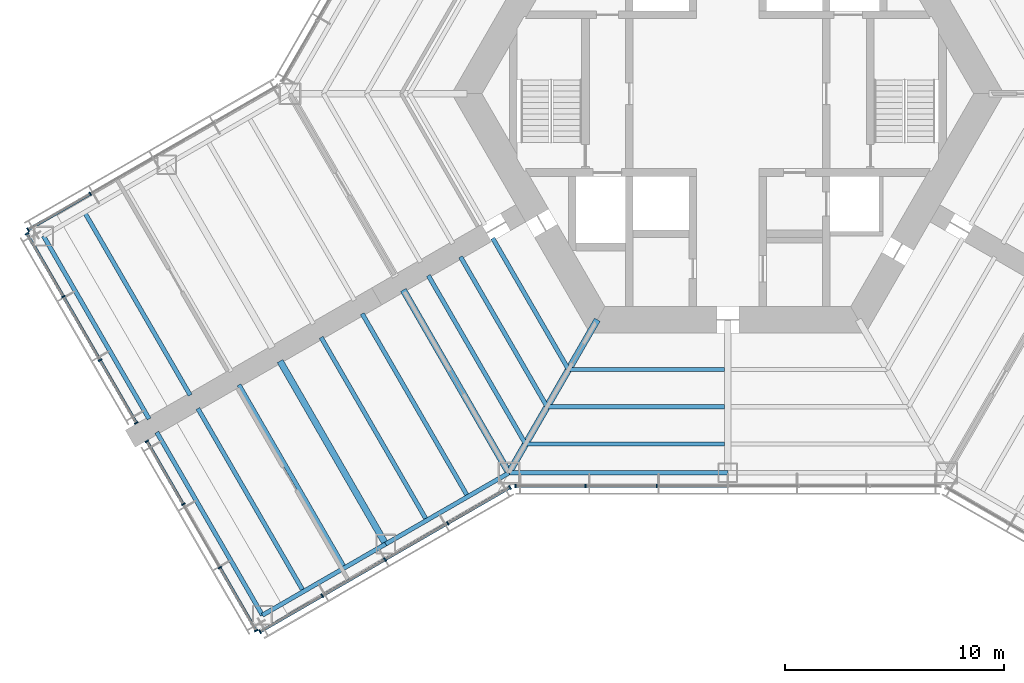
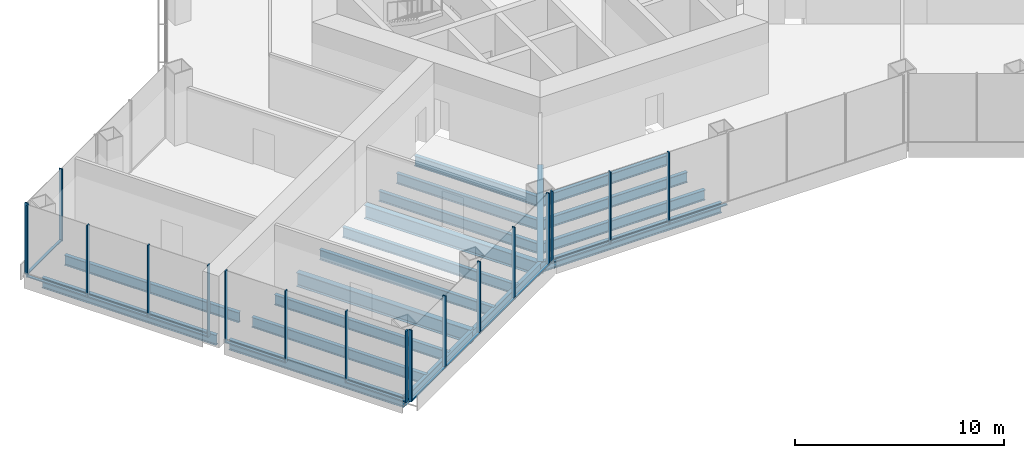
# One storey, part 2 of 16: 31 members, 19 beams, 5 elements without a shape of their own.
"""IFC4 building model written with IfcOpenShell, lengths in metres."""

from ifc_helpers import new_model, si_unit, direction, frame, origin, origin_2d, place, context, subcontext, project, spatial, rectangle, i_section, extrude, material, material_profile, profile_set, type_object, element, aggregate, save


model = new_model("IFC4")

# Units and contexts
model_context = context("Model", 3, precision=1e-05, world=origin(), true_north=direction((0.0, 1.0)))
body_context = subcontext(model_context, "Body", "Model", "MODEL_VIEW")
ifc_project = project(units=[si_unit("LENGTHUNIT", "METRE"), si_unit("AREAUNIT", "SQUARE_METRE"), si_unit("VOLUMEUNIT", "CUBIC_METRE"), si_unit("PLANEANGLEUNIT", "RADIAN"), si_unit("MASSUNIT", "GRAM", prefix="KILO")], contexts=[model_context])

# Site, building, storey
site_placement = place(None, origin())
site = spatial("IfcSite", under=ifc_project, at=site_placement, CompositionType="ELEMENT")
building_placement = place(site_placement, origin())
building = spatial("IfcBuilding", under=site, at=building_placement, Name="Kasaneha Research Tower", CompositionType="ELEMENT")
storey_placement = place(building_placement, frame((0.0, 0.0, 18.39990234375)))
storey = spatial("IfcBuildingStorey", under=building, at=storey_placement, Name="L05", CompositionType="ELEMENT", Elevation=18.39990234375)

# Beams
ifc_material_1 = material(Name="Steel SN490B", Category="steel")
ifc_material_profile_1 = material_profile(ifc_material_1, i_section(OverallWidth=0.199951171875, OverallDepth=0.60009765625, WebThickness=0.010986328125, FlangeThickness=0.01708984375, FilletRadius=0.012939453125, at=origin_2d()), Name="H-600x200x11x17")
ifc_profile_set_1 = profile_set([ifc_material_profile_1], Name="Steel SN490B")
beam_type_1 = type_object("IfcBeamType", Name="B1-1 secondary beam H-600x200x11x17", PredefinedType="JOIST", material=ifc_profile_set_1)
beam_1_placement = place(storey_placement, frame((-7.274658203125, -12.60009765625, -0.5), z_axis=(-0.499972710878, 0.866041158593, 0.0), x_axis=(-0.866041158593, -0.499972710878, 0.0)))
element("IfcBeam", 1, at=beam_1_placement, inside=storey, type_object=beam_type_1, Name="Secondary beam RS210R1 L05", PredefinedType="JOIST", context=body_context, shape_type="SweptSolid", body=[
    extrude(i_section(OverallWidth=0.199951171875, OverallDepth=0.60009765625, WebThickness=0.010986328125, FlangeThickness=0.01708984375, FilletRadius=0.012939453125, at=origin_2d()), origin(), (0.0, 0.0, 1.0), 6.9248046875),
])
beam_2_placement = place(storey_placement, frame((-8.256103515625, -14.300048828125, -0.5), z_axis=(-0.500004902938, 0.866022573054, 0.0), x_axis=(-0.866022573054, -0.500004902938, 0.0)))
element("IfcBeam", 2, at=beam_2_placement, inside=storey, type_object=beam_type_1, Name="Secondary beam RS210R2 L05", PredefinedType="JOIST", context=body_context, shape_type="SweptSolid", body=[
    extrude(i_section(OverallWidth=0.199951171875, OverallDepth=0.60009765625, WebThickness=0.010986328125, FlangeThickness=0.01708984375, FilletRadius=0.012939453125, at=origin_2d()), origin(), (0.0, 0.0, 1.0), 7.90625),
])
beam_3_placement = place(storey_placement, frame((-9.237548828125, -16.0, -0.5), z_axis=(-0.500009382636, 0.866019986649, 0.0), x_axis=(-0.866019986649, -0.500009382636, 0.0)))
element("IfcBeam", 3, at=beam_3_placement, inside=storey, type_object=beam_type_1, Name="Secondary beam RS210R3 L05", PredefinedType="JOIST", context=body_context, shape_type="SweptSolid", body=[
    extrude(i_section(OverallWidth=0.199951171875, OverallDepth=0.60009765625, WebThickness=0.010986328125, FlangeThickness=0.01708984375, FilletRadius=0.012939453125, at=origin_2d()), origin(), (0.0, 0.0, 1.0), 8.887451171875),
])
beam_4_placement = place(storey_placement, frame((-7.274658203125, -12.60009765625, -0.5), z_axis=(1.0, 0.0, 0.0), x_axis=(0.0, 1.0, 0.0)))
element("IfcBeam", 4, at=beam_4_placement, inside=storey, type_object=beam_type_1, Name="Secondary beam RS270L1 L05", PredefinedType="JOIST", context=body_context, shape_type="SweptSolid", body=[
    extrude(i_section(OverallWidth=0.199951171875, OverallDepth=0.60009765625, WebThickness=0.010986328125, FlangeThickness=0.01708984375, FilletRadius=0.012939453125, at=origin_2d()), origin(), (0.0, 0.0, 1.0), 7.124755859375),
])
beam_5_placement = place(storey_placement, frame((-8.256103515625, -14.300048828125, -0.5), z_axis=(1.0, 0.0, 0.0), x_axis=(0.0, 1.0, 0.0)))
element("IfcBeam", 5, at=beam_5_placement, inside=storey, type_object=beam_type_1, Name="Secondary beam RS270L2 L05", PredefinedType="JOIST", context=body_context, shape_type="SweptSolid", body=[
    extrude(i_section(OverallWidth=0.199951171875, OverallDepth=0.60009765625, WebThickness=0.010986328125, FlangeThickness=0.01708984375, FilletRadius=0.012939453125, at=origin_2d()), origin(), (0.0, 0.0, 1.0), 8.106201171875),
])
beam_6_placement = place(storey_placement, frame((-9.237548828125, -16.0, -0.5), z_axis=(1.0, 0.0, 0.0), x_axis=(0.0, 1.0, 0.0)))
element("IfcBeam", 6, at=beam_6_placement, inside=storey, type_object=beam_type_1, Name="Secondary beam RS270L3 L05", PredefinedType="JOIST", context=body_context, shape_type="SweptSolid", body=[
    extrude(i_section(OverallWidth=0.199951171875, OverallDepth=0.60009765625, WebThickness=0.010986328125, FlangeThickness=0.01708984375, FilletRadius=0.012939453125, at=origin_2d()), origin(), (0.0, 0.0, 1.0), 9.087646484375),
])
ifc_material_2 = material(Name="Steel SN490B", Category="steel")
ifc_material_profile_2 = material_profile(ifc_material_2, i_section(OverallWidth=0.198974609375, OverallDepth=0.595947265625, WebThickness=0.010009765625, FlangeThickness=0.014892578125, FilletRadius=0.012939453125, at=origin_2d()), Name="H-596x199x10x15")
ifc_profile_set_2 = profile_set([ifc_material_profile_2], Name="Steel SN490B")
beam_type_2 = type_object("IfcBeamType", Name="B2-1 secondary beam H-596x199x10x15", PredefinedType="JOIST", material=ifc_profile_set_2)
for number, where, z_axis, x_axis, name in (
    (7, (-29.3818359375, -5.416748046875, -0.497802734375), (0.499994742786, -0.866028439017, 0.0), (0.866028439017, 0.499994742786, 0.0), "Secondary beam WBBP4 L05"),
    (8, (-11.87646484375, -18.40380859375, -0.497802734375), (-0.499994742786, 0.866028439017, 0.0), (-0.866028439017, -0.499994742786, 0.0), "Secondary beam WBBN1 L05"),
    (9, (-13.752685546875, -19.487060546875, -0.497802734375), (-0.500024672494, 0.866011158645, 0.0), (-0.866011158645, -0.500024672494, 0.0), "Secondary beam WBBN2 L05"),
    (10, (-17.505615234375, -21.65380859375, -0.497802734375), (-0.499994742786, 0.866028439017, 0.0), (-0.866028439017, -0.499994742786, 0.0), "Secondary beam WBBN3 L05"),
    (11, (-19.3818359375, -22.737060546875, -0.497802734375), (-0.500024672494, 0.866011158645, 0.0), (-0.866011158645, -0.500024672494, 0.0), "Secondary beam WBBN4 L05"),
):
    element("IfcBeam", number, at=place(storey_placement, frame(where, z_axis=z_axis, x_axis=x_axis)), inside=storey, type_object=beam_type_2, Name=name, PredefinedType="JOIST", context=body_context, shape_type="SweptSolid", body=[
        extrude(i_section(OverallWidth=0.198974609375, OverallDepth=0.595947265625, WebThickness=0.010009765625, FlangeThickness=0.014892578125, FilletRadius=0.012939453125, at=origin_2d()), origin(), (0.0, 0.0, 1.0), 9.64990234375),
    ])

# Curtain wall, members
ifc_material_3 = material(Name="Glass and aluminium", Category="aluminium")
curtain_wall_type = type_object("IfcCurtainWallType", Name="Wet laboratory curtain wall", PredefinedType="USERDEFINED", material=ifc_material_3)
curtain_wall_1_placement = place(storey_placement, origin())
curtain_wall_1 = element("IfcCurtainWall", 12, at=curtain_wall_1_placement, inside=storey, type_object=curtain_wall_type, Name="CW-L1 L05 run 01a", ObjectType="UNITISED CURTAIN WALL", PredefinedType="USERDEFINED")
ifc_material_4 = material(Name="Aluminium 6063-T6", Category="aluminium")
ifc_material_profile_3 = material_profile(ifc_material_4, rectangle(XDim=0.06494140625, YDim=0.179931640625, at=origin_2d()), Name="CW-L1 mullion 65x180")
ifc_profile_set_3 = profile_set([ifc_material_profile_3], Name="Aluminium 6063-T6")
member_type_1 = type_object("IfcMemberType", Name="CW-L1 mullion", PredefinedType="MULLION", material=ifc_profile_set_3)
member_1_placement = place(storey_placement, frame((-21.36328125, -24.573974609375, 0.0), z_axis=(0.0, 0.0, 1.0), x_axis=(0.866025411464, 0.499999986699, 0.0)))
member_1 = element("IfcMember", 13, at=member_1_placement, type_object=member_type_1, Name="CW-L1 mullion 1", PredefinedType="MULLION", context=body_context, shape_type="SweptSolid", body=[
    extrude(rectangle(XDim=0.06494140625, YDim=0.179931640625, at=origin_2d()), origin(), (0.0, 0.0, 1.0), 4.2001953125),
])
member_2_placement = place(storey_placement, frame((-18.52490234375, -22.935302734375, 0.0), z_axis=(0.0, 0.0, 1.0), x_axis=(0.866025411464, 0.499999986699, 0.0)))
member_2 = element("IfcMember", 14, at=member_2_placement, type_object=member_type_1, Name="CW-L1 mullion 2", PredefinedType="MULLION", context=body_context, shape_type="SweptSolid", body=[
    extrude(rectangle(XDim=0.06494140625, YDim=0.179931640625, at=origin_2d()), origin(), (0.0, 0.0, 1.0), 4.2001953125),
])
member_3_placement = place(storey_placement, frame((-15.65869140625, -21.2802734375, 0.0), z_axis=(0.0, 0.0, 1.0), x_axis=(0.866025411464, 0.499999986699, 0.0)))
member_3 = element("IfcMember", 15, at=member_3_placement, type_object=member_type_1, Name="CW-L1 mullion 3", PredefinedType="MULLION", context=body_context, shape_type="SweptSolid", body=[
    extrude(rectangle(XDim=0.06494140625, YDim=0.179931640625, at=origin_2d()), origin(), (0.0, 0.0, 1.0), 4.2001953125),
])
member_4_placement = place(storey_placement, frame((-12.792236328125, -19.62548828125, 0.0), z_axis=(0.0, 0.0, 1.0), x_axis=(0.866025411464, 0.499999986699, 0.0)))
member_4 = element("IfcMember", 16, at=member_4_placement, type_object=member_type_1, Name="CW-L1 mullion 4", PredefinedType="MULLION", context=body_context, shape_type="SweptSolid", body=[
    extrude(rectangle(XDim=0.06494140625, YDim=0.179931640625, at=origin_2d()), origin(), (0.0, 0.0, 1.0), 4.2001953125),
])
member_5_placement = place(storey_placement, frame((-9.953857421875, -17.98681640625, 0.0), z_axis=(0.0, 0.0, 1.0), x_axis=(0.866025411464, 0.499999986699, 0.0)))
member_5 = element("IfcMember", 17, at=member_5_placement, type_object=member_type_1, Name="CW-L1 mullion 5", PredefinedType="MULLION", context=body_context, shape_type="SweptSolid", body=[
    extrude(rectangle(XDim=0.06494140625, YDim=0.179931640625, at=origin_2d()), origin(), (0.0, 0.0, 1.0), 4.2001953125),
])

curtain_wall_2_placement = place(storey_placement, origin())
curtain_wall_2 = element("IfcCurtainWall", 18, at=curtain_wall_2_placement, inside=storey, type_object=curtain_wall_type, Name="CW-L1 L05 run 02a", ObjectType="UNITISED CURTAIN WALL", PredefinedType="USERDEFINED")
member_6_placement = place(storey_placement, frame((-9.706787109375, -17.92041015625, 0.0), z_axis=(0.0, 0.0, 1.0), x_axis=(1.0, 0.0, 0.0)))
member_6 = element("IfcMember", 19, at=member_6_placement, type_object=member_type_1, Name="CW-L1 mullion 1", PredefinedType="MULLION", context=body_context, shape_type="SweptSolid", body=[
    extrude(rectangle(XDim=0.06494140625, YDim=0.179931640625, at=origin_2d()), origin(), (0.0, 0.0, 1.0), 4.2001953125),
])
member_7_placement = place(storey_placement, frame((-6.492919921875, -17.92041015625, 0.0), z_axis=(0.0, 0.0, 1.0), x_axis=(1.0, 0.0, 0.0)))
member_7 = element("IfcMember", 20, at=member_7_placement, type_object=member_type_1, Name="CW-L1 mullion 2", PredefinedType="MULLION", context=body_context, shape_type="SweptSolid", body=[
    extrude(rectangle(XDim=0.06494140625, YDim=0.179931640625, at=origin_2d()), origin(), (0.0, 0.0, 1.0), 4.2001953125),
])
member_8_placement = place(storey_placement, frame((-3.246337890625, -17.92041015625, 0.0), z_axis=(0.0, 0.0, 1.0), x_axis=(1.0, 0.0, 0.0)))
member_8 = element("IfcMember", 21, at=member_8_placement, type_object=member_type_1, Name="CW-L1 mullion 3", PredefinedType="MULLION", context=body_context, shape_type="SweptSolid", body=[
    extrude(rectangle(XDim=0.06494140625, YDim=0.179931640625, at=origin_2d()), origin(), (0.0, 0.0, 1.0), 4.2001953125),
])

curtain_wall_3_placement = place(storey_placement, origin())
curtain_wall_3 = element("IfcCurtainWall", 22, at=curtain_wall_3_placement, inside=storey, type_object=curtain_wall_type, Name="CW-L1 L05 run 13a", ObjectType="UNITISED CURTAIN WALL", PredefinedType="USERDEFINED")
member_9_placement = place(storey_placement, frame((-29.125, -4.575439453125, 0.0), z_axis=(0.0, 0.0, 1.0), x_axis=(-0.866025411464, -0.499999986699, 0.0)))
member_9 = element("IfcMember", 23, at=member_9_placement, type_object=member_type_1, Name="CW-L1 mullion 4", PredefinedType="MULLION", context=body_context, shape_type="SweptSolid", body=[
    extrude(rectangle(XDim=0.06494140625, YDim=0.179931640625, at=origin_2d()), origin(), (0.0, 0.0, 1.0), 4.2001953125),
])
member_10_placement = place(storey_placement, frame((-31.963134765625, -6.214111328125, 0.0), z_axis=(0.0, 0.0, 1.0), x_axis=(-0.866025411464, -0.499999986699, 0.0)))
member_10 = element("IfcMember", 24, at=member_10_placement, type_object=member_type_1, Name="CW-L1 mullion 5", PredefinedType="MULLION", context=body_context, shape_type="SweptSolid", body=[
    extrude(rectangle(XDim=0.06494140625, YDim=0.179931640625, at=origin_2d()), origin(), (0.0, 0.0, 1.0), 4.2001953125),
])

curtain_wall_4_placement = place(storey_placement, origin())
curtain_wall_4 = element("IfcCurtainWall", 25, at=curtain_wall_4_placement, inside=storey, type_object=curtain_wall_type, Name="CW-L1 L05 run 14a", ObjectType="UNITISED CURTAIN WALL", PredefinedType="USERDEFINED")
member_11_placement = place(storey_placement, frame((-32.01171875, -6.39501953125, 0.0), z_axis=(0.0, 0.0, 1.0), x_axis=(0.500000011442, -0.866025397178, 0.0)))
member_11 = element("IfcMember", 26, at=member_11_placement, type_object=member_type_1, Name="CW-L1 mullion 1", PredefinedType="MULLION", context=body_context, shape_type="SweptSolid", body=[
    extrude(rectangle(XDim=0.06494140625, YDim=0.179931640625, at=origin_2d()), origin(), (0.0, 0.0, 1.0), 4.2001953125),
])
member_12_placement = place(storey_placement, frame((-30.35302734375, -9.26806640625, 0.0), z_axis=(0.0, 0.0, 1.0), x_axis=(0.500000011442, -0.866025397178, 0.0)))
member_12 = element("IfcMember", 27, at=member_12_placement, type_object=member_type_1, Name="CW-L1 mullion 2", PredefinedType="MULLION", context=body_context, shape_type="SweptSolid", body=[
    extrude(rectangle(XDim=0.06494140625, YDim=0.179931640625, at=origin_2d()), origin(), (0.0, 0.0, 1.0), 4.2001953125),
])
member_13_placement = place(storey_placement, frame((-28.677978515625, -12.16943359375, 0.0), z_axis=(0.0, 0.0, 1.0), x_axis=(0.500000011442, -0.866025397178, 0.0)))
member_13 = element("IfcMember", 28, at=member_13_placement, type_object=member_type_1, Name="CW-L1 mullion 3", PredefinedType="MULLION", context=body_context, shape_type="SweptSolid", body=[
    extrude(rectangle(XDim=0.06494140625, YDim=0.179931640625, at=origin_2d()), origin(), (0.0, 0.0, 1.0), 4.2001953125),
])
member_14_placement = place(storey_placement, frame((-27.019287109375, -15.04248046875, 0.0), z_axis=(0.0, 0.0, 1.0), x_axis=(0.500000011442, -0.866025397178, 0.0)))
member_14 = element("IfcMember", 29, at=member_14_placement, type_object=member_type_1, Name="CW-L1 mullion 4", PredefinedType="MULLION", context=body_context, shape_type="SweptSolid", body=[
    extrude(rectangle(XDim=0.06494140625, YDim=0.179931640625, at=origin_2d()), origin(), (0.0, 0.0, 1.0), 4.2001953125),
])

curtain_wall_5_placement = place(storey_placement, origin())
curtain_wall_5 = element("IfcCurtainWall", 30, at=curtain_wall_5_placement, inside=storey, type_object=curtain_wall_type, Name="CW-L1 L05 run 15a", ObjectType="UNITISED CURTAIN WALL", PredefinedType="USERDEFINED")
member_15_placement = place(storey_placement, frame((-26.53662109375, -15.878173828125, 0.0), z_axis=(0.0, 0.0, 1.0), x_axis=(0.500000011442, -0.866025397178, 0.0)))
member_15 = element("IfcMember", 31, at=member_15_placement, type_object=member_type_1, Name="CW-L1 mullion 1", PredefinedType="MULLION", context=body_context, shape_type="SweptSolid", body=[
    extrude(rectangle(XDim=0.06494140625, YDim=0.179931640625, at=origin_2d()), origin(), (0.0, 0.0, 1.0), 4.2001953125),
])
member_16_placement = place(storey_placement, frame((-24.8779296875, -18.751220703125, 0.0), z_axis=(0.0, 0.0, 1.0), x_axis=(0.500000011442, -0.866025397178, 0.0)))
member_16 = element("IfcMember", 32, at=member_16_placement, type_object=member_type_1, Name="CW-L1 mullion 2", PredefinedType="MULLION", context=body_context, shape_type="SweptSolid", body=[
    extrude(rectangle(XDim=0.06494140625, YDim=0.179931640625, at=origin_2d()), origin(), (0.0, 0.0, 1.0), 4.2001953125),
])
member_17_placement = place(storey_placement, frame((-23.202880859375, -21.65234375, 0.0), z_axis=(0.0, 0.0, 1.0), x_axis=(0.500000011442, -0.866025397178, 0.0)))
member_17 = element("IfcMember", 33, at=member_17_placement, type_object=member_type_1, Name="CW-L1 mullion 3", PredefinedType="MULLION", context=body_context, shape_type="SweptSolid", body=[
    extrude(rectangle(XDim=0.06494140625, YDim=0.179931640625, at=origin_2d()), origin(), (0.0, 0.0, 1.0), 4.2001953125),
])
member_18_placement = place(storey_placement, frame((-21.544189453125, -24.525390625, 0.0), z_axis=(0.0, 0.0, 1.0), x_axis=(0.500000011442, -0.866025397178, 0.0)))
member_18 = element("IfcMember", 34, at=member_18_placement, type_object=member_type_1, Name="CW-L1 mullion 4", PredefinedType="MULLION", context=body_context, shape_type="SweptSolid", body=[
    extrude(rectangle(XDim=0.06494140625, YDim=0.179931640625, at=origin_2d()), origin(), (0.0, 0.0, 1.0), 4.2001953125),
])

# Member
ifc_material_5 = material(Name="Aluminium 6063-T6", Category="aluminium")
ifc_material_profile_4 = material_profile(ifc_material_5, rectangle(XDim=0.139892578125, YDim=0.06494140625, at=origin_2d()), Name="CW-L1 transom 140x65")
ifc_profile_set_4 = profile_set([ifc_material_profile_4], Name="Aluminium 6063-T6")
member_type_2 = type_object("IfcMemberType", Name="CW-L1 transom", PredefinedType="USERDEFINED", material=ifc_profile_set_4)
member_19_placement = place(storey_placement, frame((-21.3349609375, -24.5576171875, 0.03271484375), z_axis=(0.86600331843, 0.500038251005, 0.0), x_axis=(-0.500038251005, 0.86600331843, 0.0)))
member_19 = element("IfcMember", 35, at=member_19_placement, type_object=member_type_2, Name="CW-L1 transom 1", ObjectType="TRANSOM", PredefinedType="USERDEFINED", context=body_context, shape_type="SweptSolid", body=[
    extrude(rectangle(XDim=0.139892578125, YDim=0.06494140625, at=origin_2d()), origin(), (0.0, 0.0, 1.0), 3.212158203125),
])

member_20_placement = place(storey_placement, frame((-18.496826171875, -22.9189453125, 0.03271484375), z_axis=(0.866035229914, 0.499982980259, 0.0), x_axis=(-0.499982980259, 0.866035229914, 0.0)))
member_20 = element("IfcMember", 36, at=member_20_placement, type_object=member_type_2, Name="CW-L1 transom 2", ObjectType="TRANSOM", PredefinedType="USERDEFINED", context=body_context, shape_type="SweptSolid", body=[
    extrude(rectangle(XDim=0.139892578125, YDim=0.06494140625, at=origin_2d()), origin(), (0.0, 0.0, 1.0), 3.24462890625),
])

member_21_placement = place(storey_placement, frame((-15.63037109375, -21.26416015625, 0.03271484375), z_axis=(0.866002649306, 0.500039409842, 0.0), x_axis=(-0.500039409842, 0.866002649306, 0.0)))
member_21 = element("IfcMember", 37, at=member_21_placement, type_object=member_type_2, Name="CW-L1 transom 3", ObjectType="TRANSOM", PredefinedType="USERDEFINED", context=body_context, shape_type="SweptSolid", body=[
    extrude(rectangle(XDim=0.139892578125, YDim=0.06494140625, at=origin_2d()), origin(), (0.0, 0.0, 1.0), 3.244873046875),
])

member_22_placement = place(storey_placement, frame((-12.76416015625, -19.609130859375, 0.03271484375), z_axis=(0.866022320763, 0.500005339912, 0.0), x_axis=(-0.500005339912, 0.866022320763, 0.0)))
member_22 = element("IfcMember", 38, at=member_22_placement, type_object=member_type_2, Name="CW-L1 transom 4", ObjectType="TRANSOM", PredefinedType="USERDEFINED", context=body_context, shape_type="SweptSolid", body=[
    extrude(rectangle(XDim=0.139892578125, YDim=0.06494140625, at=origin_2d()), origin(), (0.0, 0.0, 1.0), 3.21240234375),
])

aggregate(curtain_wall_1, [member_1, member_2, member_3, member_4, member_5, member_19, member_20, member_21, member_22])

member_23_placement = place(storey_placement, frame((-9.67431640625, -17.92041015625, 0.03271484375), z_axis=(1.0, 0.0, 0.0), x_axis=(0.0, 1.0, 0.0)))
member_23 = element("IfcMember", 39, at=member_23_placement, type_object=member_type_2, Name="CW-L1 transom 1", ObjectType="TRANSOM", PredefinedType="USERDEFINED", context=body_context, shape_type="SweptSolid", body=[
    extrude(rectangle(XDim=0.139892578125, YDim=0.06494140625, at=origin_2d()), origin(), (0.0, 0.0, 1.0), 3.14892578125),
])

member_24_placement = place(storey_placement, frame((-6.460205078125, -17.92041015625, 0.03271484375), z_axis=(1.0, 0.0, 0.0), x_axis=(0.0, 1.0, 0.0)))
member_24 = element("IfcMember", 40, at=member_24_placement, type_object=member_type_2, Name="CW-L1 transom 2", ObjectType="TRANSOM", PredefinedType="USERDEFINED", context=body_context, shape_type="SweptSolid", body=[
    extrude(rectangle(XDim=0.139892578125, YDim=0.06494140625, at=origin_2d()), origin(), (0.0, 0.0, 1.0), 3.181396484375),
])

member_25_placement = place(storey_placement, frame((-3.2138671875, -17.92041015625, 0.03271484375), z_axis=(1.0, 0.0, 0.0), x_axis=(0.0, 1.0, 0.0)))
member_25 = element("IfcMember", 41, at=member_25_placement, type_object=member_type_2, Name="CW-L1 transom 3", ObjectType="TRANSOM", PredefinedType="USERDEFINED", context=body_context, shape_type="SweptSolid", body=[
    extrude(rectangle(XDim=0.139892578125, YDim=0.06494140625, at=origin_2d()), origin(), (0.0, 0.0, 1.0), 3.181396484375),
])

aggregate(curtain_wall_2, [member_6, member_7, member_8, member_23, member_24, member_25])

member_26_placement = place(storey_placement, frame((-29.153076171875, -4.591796875, 0.03271484375), z_axis=(-0.866022320763, -0.500005339912, 0.0), x_axis=(0.500005339912, -0.866022320763, 0.0)))
member_26 = element("IfcMember", 42, at=member_26_placement, type_object=member_type_2, Name="CW-L1 transom 4", ObjectType="TRANSOM", PredefinedType="USERDEFINED", context=body_context, shape_type="SweptSolid", body=[
    extrude(rectangle(XDim=0.139892578125, YDim=0.06494140625, at=origin_2d()), origin(), (0.0, 0.0, 1.0), 3.21240234375),
])

aggregate(curtain_wall_3, [member_9, member_10, member_26])

member_27_placement = place(storey_placement, frame((-31.995361328125, -6.42333984375, 0.03271484375), z_axis=(0.500006189695, -0.866021830133, 0.0), x_axis=(0.866021830133, 0.500006189695, 0.0)))
member_27 = element("IfcMember", 43, at=member_27_placement, type_object=member_type_2, Name="CW-L1 transom 1", ObjectType="TRANSOM", PredefinedType="USERDEFINED", context=body_context, shape_type="SweptSolid", body=[
    extrude(rectangle(XDim=0.139892578125, YDim=0.06494140625, at=origin_2d()), origin(), (0.0, 0.0, 1.0), 3.25244140625),
])

member_28_placement = place(storey_placement, frame((-30.336669921875, -9.29638671875, 0.03271484375), z_axis=(0.500039835994, -0.866002403241, 0.0), x_axis=(0.866002403241, 0.500039835994, 0.0)))
member_28 = element("IfcMember", 44, at=member_28_placement, type_object=member_type_2, Name="CW-L1 transom 2", ObjectType="TRANSOM", PredefinedType="USERDEFINED", context=body_context, shape_type="SweptSolid", body=[
    extrude(rectangle(XDim=0.139892578125, YDim=0.06494140625, at=origin_2d()), origin(), (0.0, 0.0, 1.0), 3.284912109375),
])

member_29_placement = place(storey_placement, frame((-28.66162109375, -12.197509765625, 0.03271484375), z_axis=(0.500006189695, -0.866021830133, 0.0), x_axis=(0.866021830133, 0.500006189695, 0.0)))
member_29 = element("IfcMember", 45, at=member_29_placement, type_object=member_type_2, Name="CW-L1 transom 3", ObjectType="TRANSOM", PredefinedType="USERDEFINED", context=body_context, shape_type="SweptSolid", body=[
    extrude(rectangle(XDim=0.139892578125, YDim=0.06494140625, at=origin_2d()), origin(), (0.0, 0.0, 1.0), 3.25244140625),
])

aggregate(curtain_wall_4, [member_11, member_12, member_13, member_14, member_27, member_28, member_29])

member_30_placement = place(storey_placement, frame((-26.5205078125, -15.90625, 0.03271484375), z_axis=(0.500006189695, -0.866021830133, 0.0), x_axis=(0.866021830133, 0.500006189695, 0.0)))
member_30 = element("IfcMember", 46, at=member_30_placement, type_object=member_type_2, Name="CW-L1 transom 1", ObjectType="TRANSOM", PredefinedType="USERDEFINED", context=body_context, shape_type="SweptSolid", body=[
    extrude(rectangle(XDim=0.139892578125, YDim=0.06494140625, at=origin_2d()), origin(), (0.0, 0.0, 1.0), 3.25244140625),
])

member_31_placement = place(storey_placement, frame((-23.186767578125, -21.680419921875, 0.03271484375), z_axis=(0.499973687205, -0.866040594951, 0.0), x_axis=(0.866040594951, 0.499973687205, 0.0)))
member_31 = element("IfcMember", 47, at=member_31_placement, type_object=member_type_2, Name="CW-L1 transom 3", ObjectType="TRANSOM", PredefinedType="USERDEFINED", context=body_context, shape_type="SweptSolid", body=[
    extrude(rectangle(XDim=0.139892578125, YDim=0.06494140625, at=origin_2d()), origin(), (0.0, 0.0, 1.0), 3.252685546875),
])

aggregate(curtain_wall_5, [member_15, member_16, member_17, member_18, member_30, member_31])

# Beams
ifc_material_6 = material(Name="Steel SN490B", Category="steel")
ifc_material_profile_5 = material_profile(ifc_material_6, i_section(OverallWidth=0.300048828125, OverallDepth=0.699951171875, WebThickness=0.012939453125, FlangeThickness=0.02392578125, FilletRadius=0.01806640625, at=origin_2d()), Name="H-700x300x13x24")
ifc_profile_set_5 = profile_set([ifc_material_profile_5], Name="Steel SN490B")
beam_type_3 = type_object("IfcBeamType", Name="G1-1 radial girder H-700x300x13x24", PredefinedType="BEAM", material=ifc_profile_set_5)
beam_7_placement = place(storey_placement, frame((-5.961181640625, -10.324951171875, -0.5498046875), z_axis=(-0.49999105496, -0.866030568144, 0.0), x_axis=(0.866030568144, -0.49999105496, 0.0)))
element("IfcBeam", 48, at=beam_7_placement, inside=storey, type_object=beam_type_3, Name="Radial girder RV240 L05", PredefinedType="BEAM", context=body_context, shape_type="SweptSolid", body=[
    extrude(i_section(OverallWidth=0.300048828125, OverallDepth=0.699951171875, WebThickness=0.012939453125, FlangeThickness=0.02392578125, FilletRadius=0.01806640625, at=origin_2d()), origin(), (0.0, 0.0, 1.0), 8.077880859375),
])
ifc_material_7 = material(Name="Steel SN490B", Category="steel")
ifc_material_profile_6 = material_profile(ifc_material_7, i_section(OverallWidth=0.300048828125, OverallDepth=0.7919921875, WebThickness=0.013916015625, FlangeThickness=0.02197265625, FilletRadius=0.01806640625, at=origin_2d()), Name="H-792x300x14x22")
ifc_profile_set_6 = profile_set([ifc_material_profile_6], Name="Steel SN490B")
beam_type_4 = type_object("IfcBeamType", Name="G3-1 plate edge girder H-792x300x14x22", PredefinedType="BEAM", material=ifc_profile_set_6)
beam_8_placement = place(storey_placement, frame((-10.0, -17.320556640625, -0.595947265625), z_axis=(-0.499994742786, 0.866028439017, 0.0), x_axis=(-0.866028439017, -0.499994742786, 0.0)))
element("IfcBeam", 49, at=beam_8_placement, inside=storey, type_object=beam_type_4, Name="Plate edge girder PEBN L05", PredefinedType="BEAM", context=body_context, shape_type="SweptSolid", body=[
    extrude(i_section(OverallWidth=0.300048828125, OverallDepth=0.7919921875, WebThickness=0.013916015625, FlangeThickness=0.02197265625, FilletRadius=0.01806640625, at=origin_2d()), origin(), (0.0, 0.0, 1.0), 9.64990234375),
])
ifc_material_8 = material(Name="Steel SN490B", Category="steel")
ifc_material_profile_7 = material_profile(ifc_material_8, i_section(OverallWidth=0.300048828125, OverallDepth=0.800048828125, WebThickness=0.013916015625, FlangeThickness=0.02587890625, FilletRadius=0.01806640625, at=origin_2d()), Name="H-800x300x14x26")
ifc_profile_set_7 = profile_set([ifc_material_profile_7], Name="Steel SN490B")
beam_type_5 = type_object("IfcBeamType", Name="G4-1 wing girder H-800x300x14x26", PredefinedType="BEAM", material=ifc_profile_set_7)
beam_9_placement = place(storey_placement, frame((-15.629150390625, -20.570556640625, -0.599853515625), z_axis=(-0.499994742786, 0.866028439017, 0.0), x_axis=(-0.866028439017, -0.499994742786, 0.0)))
element("IfcBeam", 50, at=beam_9_placement, inside=storey, type_object=beam_type_5, Name="Wing girder WGBN L05", PredefinedType="BEAM", context=body_context, shape_type="SweptSolid", body=[
    extrude(i_section(OverallWidth=0.300048828125, OverallDepth=0.800048828125, WebThickness=0.013916015625, FlangeThickness=0.02587890625, FilletRadius=0.01806640625, at=origin_2d()), origin(), (0.0, 0.0, 1.0), 9.64990234375),
])
ifc_material_9 = material(Name="Steel SN490B", Category="steel")
ifc_material_profile_8 = material_profile(ifc_material_9, i_section(OverallWidth=0.199951171875, OverallDepth=0.60009765625, WebThickness=0.010986328125, FlangeThickness=0.01708984375, FilletRadius=0.012939453125, at=origin_2d()), Name="H-600x200x11x17")
ifc_profile_set_8 = profile_set([ifc_material_profile_8], Name="Steel SN490B")
beam_type_6 = type_object("IfcBeamType", Name="SB1-1 spandrel beam H-600x200x11x17", PredefinedType="SPANDREL", material=ifc_profile_set_8)
beam_10_placement = place(storey_placement, frame((-10.0, -17.320556640625, -0.5), z_axis=(1.0, 0.0, 0.0), x_axis=(0.0, 1.0, 0.0)))
element("IfcBeam", 51, at=beam_10_placement, inside=storey, type_object=beam_type_6, Name="Spandrel beam SR270L L05", PredefinedType="SPANDREL", context=body_context, shape_type="SweptSolid", body=[
    extrude(i_section(OverallWidth=0.199951171875, OverallDepth=0.60009765625, WebThickness=0.010986328125, FlangeThickness=0.01708984375, FilletRadius=0.012939453125, at=origin_2d()), origin(), (0.0, 0.0, 1.0), 10.0),
])
ifc_material_10 = material(Name="Steel SN490B", Category="steel")
ifc_material_profile_9 = material_profile(ifc_material_10, i_section(OverallWidth=0.199951171875, OverallDepth=0.5, WebThickness=0.010009765625, FlangeThickness=0.01611328125, FilletRadius=0.012939453125, at=origin_2d()), Name="H-500x200x10x16")
ifc_profile_set_9 = profile_set([ifc_material_profile_9], Name="Steel SN490B")
beam_type_7 = type_object("IfcBeamType", Name="SB2-1 spandrel beam H-500x200x10x16", PredefinedType="SPANDREL", material=ifc_profile_set_9)
for number, where, z_axis, x_axis, name in (
    (52, (-10.0, -17.320556640625, -0.449951171875), (-0.866024837091, -0.50000098154, 0.0), (0.50000098154, -0.866024837091, 0.0), "Spandrel beam WSBN1 L05"),
    (53, (-15.629150390625, -20.570556640625, -0.449951171875), (-0.866024837091, -0.50000098154, 0.0), (0.50000098154, -0.866024837091, 0.0), "Spandrel beam WSBN2 L05"),
):
    element("IfcBeam", number, at=place(storey_placement, frame(where, z_axis=z_axis, x_axis=x_axis)), inside=storey, type_object=beam_type_7, Name=name, PredefinedType="SPANDREL", context=body_context, shape_type="SweptSolid", body=[
        extrude(i_section(OverallWidth=0.199951171875, OverallDepth=0.5, WebThickness=0.010009765625, FlangeThickness=0.01611328125, FilletRadius=0.012939453125, at=origin_2d()), origin(), (0.0, 0.0, 1.0), 6.5),
    ])
ifc_material_11 = material(Name="Steel SN490B", Category="steel")
ifc_material_profile_10 = material_profile(ifc_material_11, i_section(OverallWidth=0.199951171875, OverallDepth=0.60009765625, WebThickness=0.010986328125, FlangeThickness=0.01708984375, FilletRadius=0.012939453125, at=origin_2d()), Name="H-600x200x11x17")
ifc_profile_set_10 = profile_set([ifc_material_profile_10], Name="Steel SN490B")
beam_type_8 = type_object("IfcBeamType", Name="SB3-1 spandrel beam H-600x200x11x17", PredefinedType="SPANDREL", material=ifc_profile_set_10)
for number, where, z_axis, x_axis, name in (
    (54, (-31.25830078125, -6.5, -0.5), (0.499994742786, -0.866028439017, 0.0), (0.866028439017, 0.499994742786, 0.0), "Spandrel beam WTBP L05"),
    (55, (-21.25830078125, -23.820556640625, -0.5), (-0.499994742786, 0.866028439017, 0.0), (-0.866028439017, -0.499994742786, 0.0), "Spandrel beam WTBN L05"),
):
    element("IfcBeam", number, at=place(storey_placement, frame(where, z_axis=z_axis, x_axis=x_axis)), inside=storey, type_object=beam_type_8, Name=name, PredefinedType="SPANDREL", context=body_context, shape_type="SweptSolid", body=[
        extrude(i_section(OverallWidth=0.199951171875, OverallDepth=0.60009765625, WebThickness=0.010986328125, FlangeThickness=0.01708984375, FilletRadius=0.012939453125, at=origin_2d()), origin(), (0.0, 0.0, 1.0), 9.64990234375),
    ])

save(model, "model.ifc")
